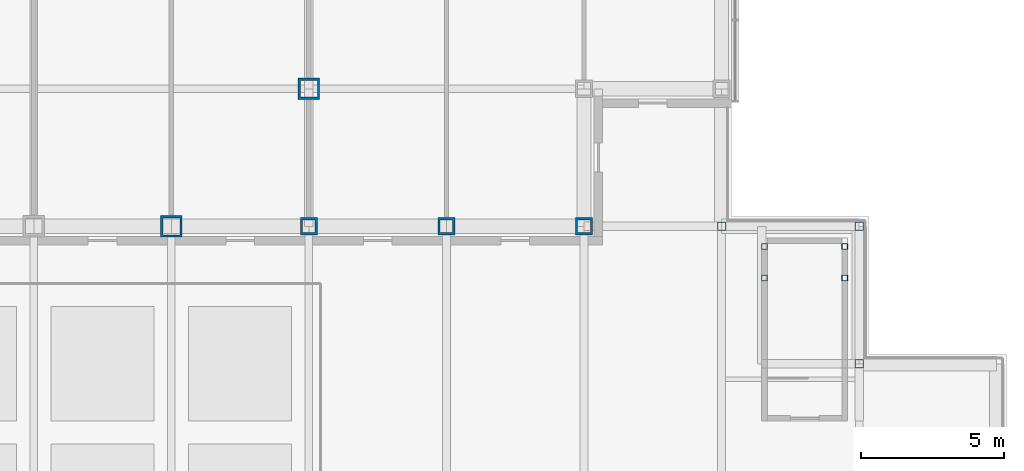
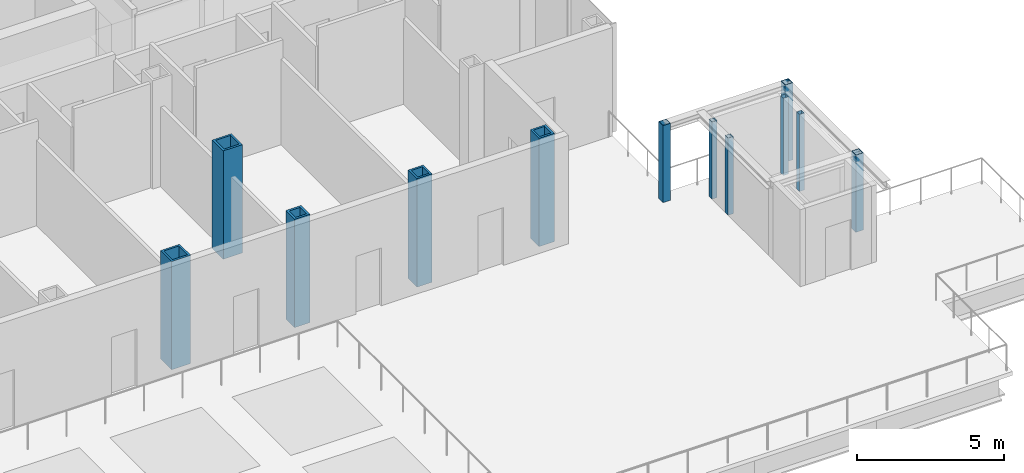
# One storey, part 3 of 24: 12 columns.
"""IFC4 building model written with IfcOpenShell, lengths in metres."""

from ifc_helpers import new_model, si_unit, direction, frame, origin, origin_2d, place, context, subcontext, project, spatial, hollow_rectangle, extrude, material, material_profile, profile_set, type_object, element, save


model = new_model("IFC4")

# Units and contexts
model_context = context("Model", 3, precision=1e-05, world=origin(), true_north=direction((0.0, 1.0)))
body_context = subcontext(model_context, "Body", "Model", "MODEL_VIEW")
ifc_project = project(units=[si_unit("LENGTHUNIT", "METRE"), si_unit("AREAUNIT", "SQUARE_METRE"), si_unit("VOLUMEUNIT", "CUBIC_METRE"), si_unit("PLANEANGLEUNIT", "RADIAN"), si_unit("MASSUNIT", "GRAM", prefix="KILO")], contexts=[model_context])

# Site, building, storey
site_placement = place(None, origin())
site = spatial("IfcSite", under=ifc_project, at=site_placement, CompositionType="ELEMENT")
building_placement = place(site_placement, origin())
building = spatial("IfcBuilding", under=site, at=building_placement, Name="Kvirike Care Tower", CompositionType="ELEMENT")
storey_placement = place(building_placement, frame((0.0, 0.0, 22.5)))
storey = spatial("IfcBuildingStorey", under=building, at=storey_placement, Name="L05", CompositionType="ELEMENT", Elevation=22.5)

# Columns
ifc_material_1 = material(Name="Steel S460", Category="steel")
ifc_material_profile_1 = material_profile(ifc_material_1, hollow_rectangle(XDim=0.60009765625, YDim=0.60009765625, WallThickness=0.080078125, at=origin_2d()), Name="BX 600x600x80")
ifc_profile_set_1 = profile_set([ifc_material_profile_1], Name="Steel S460")
column_type_1 = type_object("IfcColumnType", Name="COLUMN BX 600x600x80", PredefinedType="COLUMN", material=ifc_profile_set_1)
for number, where, z_axis, x_axis, name in (
    (1, (28.800048828125, 14.39990234375, 0.0), (0.0, 0.0, 1.0), (0.0, 1.0, 0.0), "Column D9 L05"),
    (2, (33.60009765625, 14.39990234375, 0.0), (0.0, 0.0, 1.0), (0.0, 1.0, 0.0), "Column D10 L05"),
    (3, (38.39990234375, 14.39990234375, 0.0), (0.0, 0.0, 1.0), (0.0, 1.0, 0.0), "Column D11 L05"),
):
    element("IfcColumn", number, at=place(storey_placement, frame(where, z_axis=z_axis, x_axis=x_axis)), inside=storey, type_object=column_type_1, Name=name, PredefinedType="COLUMN", context=body_context, shape_type="SweptSolid", body=[
        extrude(hollow_rectangle(XDim=0.60009765625, YDim=0.60009765625, WallThickness=0.080078125, at=origin_2d()), origin(), (0.0, 0.0, 1.0), 4.5),
    ])
ifc_material_2 = material(Name="Steel S460", Category="steel")
ifc_material_profile_2 = material_profile(ifc_material_2, hollow_rectangle(XDim=0.75, YDim=0.75, WallThickness=0.080078125, at=origin_2d()), Name="BX 750x750x80")
ifc_profile_set_2 = profile_set([ifc_material_profile_2], Name="Steel S460")
column_type_2 = type_object("IfcColumnType", Name="COLUMN BX 750x750x80", PredefinedType="COLUMN", material=ifc_profile_set_2)
for number, where, z_axis, x_axis, name in (
    (4, (24.0, 14.39990234375, 0.0), (0.0, 0.0, 1.0), (0.0, 1.0, 0.0), "Column D8 L05"),
    (5, (28.800048828125, 19.199951171875, 0.0), (0.0, 0.0, 1.0), (1.0, 0.0, 0.0), "Column E9 L05"),
):
    element("IfcColumn", number, at=place(storey_placement, frame(where, z_axis=z_axis, x_axis=x_axis)), inside=storey, type_object=column_type_2, Name=name, PredefinedType="COLUMN", context=body_context, shape_type="SweptSolid", body=[
        extrude(hollow_rectangle(XDim=0.75, YDim=0.75, WallThickness=0.080078125, at=origin_2d()), origin(), (0.0, 0.0, 1.0), 4.5),
    ])
ifc_material_3 = material(Name="Steel S355", Category="steel")
ifc_material_profile_3 = material_profile(ifc_material_3, hollow_rectangle(XDim=0.300048828125, YDim=0.300048828125, WallThickness=0.02001953125, at=origin_2d()), Name="BX 300x300x20")
ifc_profile_set_3 = profile_set([ifc_material_profile_3], Name="Steel S355")
column_type_3 = type_object("IfcColumnType", Name="HEAD-HOUSE POST BX 300x300x20", PredefinedType="COLUMN", material=ifc_profile_set_3)
for number, where, z_axis, x_axis, name in (
    (6, (48.0, 9.60009765625, 0.0), (0.0, 0.0, 1.0), (1.0, 0.0, 0.0), "Stair 4 head-house post 1"),
    (7, (48.0, 14.39990234375, 0.0), (0.0, 0.0, 1.0), (1.0, 0.0, 0.0), "Stair 4 head-house post 2"),
    (8, (43.199951171875, 14.39990234375, 0.0), (0.0, 0.0, 1.0), (1.0, 0.0, 0.0), "Stair 4 head-house post 3"),
):
    element("IfcColumn", number, at=place(storey_placement, frame(where, z_axis=z_axis, x_axis=x_axis)), inside=storey, type_object=column_type_3, Name=name, PredefinedType="COLUMN", context=body_context, shape_type="SweptSolid", body=[
        extrude(hollow_rectangle(XDim=0.300048828125, YDim=0.300048828125, WallThickness=0.02001953125, at=origin_2d()), origin(), (0.0, 0.0, 1.0), 3.199951171875),
    ])
ifc_material_4 = material(Name="Steel S460", Category="steel")
ifc_material_profile_4 = material_profile(ifc_material_4, hollow_rectangle(XDim=0.199951171875, YDim=0.199951171875, WallThickness=0.008056640625, at=origin_2d()), Name="SHS 200x200x8")
ifc_profile_set_4 = profile_set([ifc_material_profile_4], Name="Steel S460")
column_type_4 = type_object("IfcColumnType", Name="STAIR POST SHS 200x200x8", PredefinedType="COLUMN", material=ifc_profile_set_4)
for number, where, z_axis, x_axis, name in (
    (9, (44.699951171875, 13.699951171875, 0.0), (0.0, 0.0, 1.0), (1.0, 0.0, 0.0), "Stair 4 post 1 L05"),
    (10, (47.5, 13.699951171875, 0.0), (0.0, 0.0, 1.0), (1.0, 0.0, 0.0), "Stair 4 post 2 L05"),
    (11, (44.699951171875, 12.60009765625, 0.0), (0.0, 0.0, 1.0), (1.0, 0.0, 0.0), "Stair 4 post 3 L05"),
    (12, (47.5, 12.60009765625, 0.0), (0.0, 0.0, 1.0), (1.0, 0.0, 0.0), "Stair 4 post 4 L05"),
):
    element("IfcColumn", number, at=place(storey_placement, frame(where, z_axis=z_axis, x_axis=x_axis)), inside=storey, type_object=column_type_4, Name=name, PredefinedType="COLUMN", context=body_context, shape_type="SweptSolid", body=[
        extrude(hollow_rectangle(XDim=0.199951171875, YDim=0.199951171875, WallThickness=0.008056640625, at=origin_2d()), origin(), (0.0, 0.0, 1.0), 3.199951171875),
    ])

save(model, "model.ifc")
